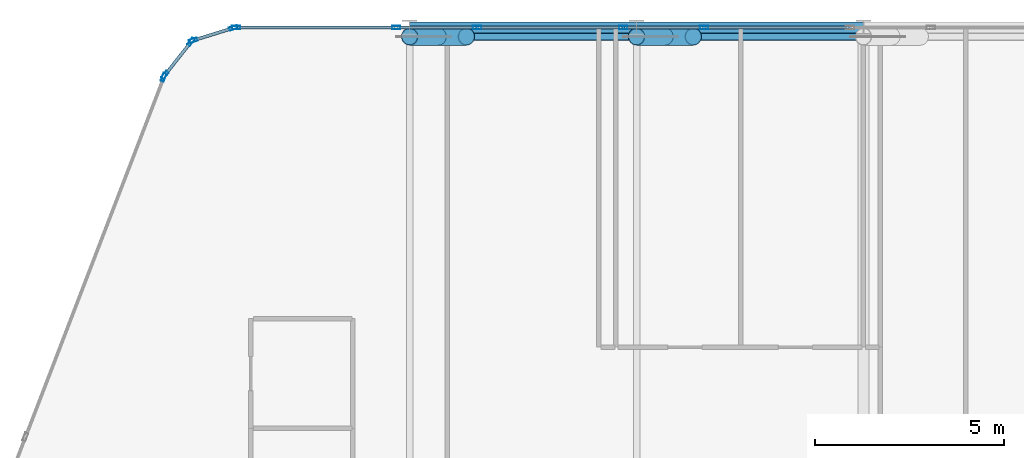
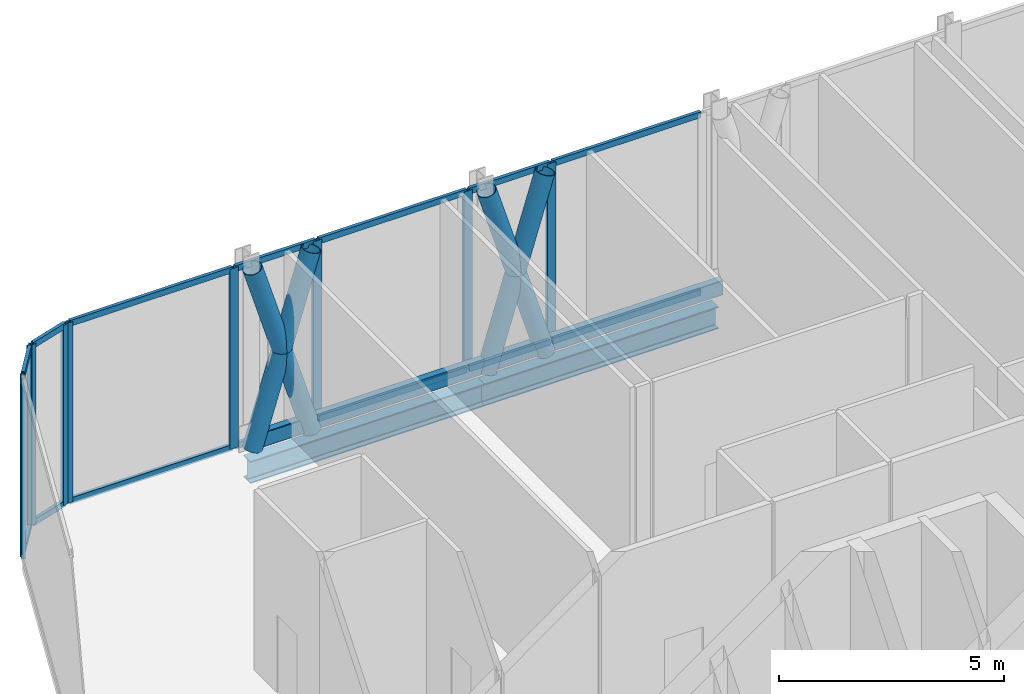
# One storey, part 14 of 36: 32 members, 2 beams, 8 elements without a shape of their own.
"""IFC4 building model written with IfcOpenShell, lengths in metres."""

from ifc_helpers import new_model, si_unit, direction, frame, origin, origin_2d, place, context, subcontext, project, spatial, hollow_rectangle, hollow_circle, i_section, extrude, material, layer, layer_set, material_profile, profile_set, type_object, element, aggregate, save


model = new_model("IFC4")

# Units and contexts
model_context = context("Model", 3, precision=1e-05, world=origin(), true_north=direction((0.0, 1.0)))
body_context = subcontext(model_context, "Body", "Model", "MODEL_VIEW")
ifc_project = project(units=[si_unit("LENGTHUNIT", "METRE"), si_unit("AREAUNIT", "SQUARE_METRE"), si_unit("VOLUMEUNIT", "CUBIC_METRE"), si_unit("PLANEANGLEUNIT", "RADIAN"), si_unit("MASSUNIT", "GRAM", prefix="KILO")], contexts=[model_context])

# Site, building, storey
site_placement = place(None, origin())
site = spatial("IfcSite", under=ifc_project, at=site_placement, CompositionType="ELEMENT")
building_placement = place(site_placement, origin())
building = spatial("IfcBuilding", under=site, at=building_placement, Name="Keshet Zoharim Tower", CompositionType="ELEMENT")
storey_placement = place(building_placement, frame((0.0, 0.0, 81.199951171875)))
storey = spatial("IfcBuildingStorey", under=building, at=storey_placement, Name="L19", CompositionType="ELEMENT", Elevation=81.199951171875)

# Beams
ifc_material_1 = material(Name="Steel S355", Category="steel")
ifc_material_profile_1 = material_profile(ifc_material_1, i_section(OverallWidth=0.300048828125, OverallDepth=0.60009765625, WebThickness=0.015380859375, FlangeThickness=0.030029296875, FilletRadius=0.027099609375, at=origin_2d()), Name="HEB600")
ifc_profile_set_1 = profile_set([ifc_material_profile_1], Name="Steel S355")
beam_type = type_object("IfcBeamType", Name="BM-WEB-HB600", PredefinedType="BEAM", material=ifc_profile_set_1)
for number, where, z_axis, x_axis, name in (
    (1, (21.0, 53.89990234375, -0.719970703125), (1.0, 0.0, 0.0), (0.0, 1.0, 0.0), "L19 Primary Girder X-029"),
    (2, (27.0, 53.89990234375, -0.719970703125), (1.0, 0.0, 0.0), (0.0, 1.0, 0.0), "L19 Primary Girder X-030"),
):
    element("IfcBeam", number, at=place(storey_placement, frame(where, z_axis=z_axis, x_axis=x_axis)), inside=storey, type_object=beam_type, Name=name, PredefinedType="BEAM", context=body_context, shape_type="SweptSolid", body=[
        extrude(i_section(OverallWidth=0.300048828125, OverallDepth=0.60009765625, WebThickness=0.015380859375, FlangeThickness=0.030029296875, FilletRadius=0.027099609375, at=origin_2d()), origin(), (0.0, 0.0, 1.0), 6.0),
    ])

# Curtain wall, member
ifc_material_2 = material(Name="Aluminium 6063-T6", Category="aluminium")
ifc_layer_1 = layer(ifc_material_2, 0.179931640625)
ifc_layer_set_1 = layer_set([ifc_layer_1], Name="Aluminium 6063-T6")
curtain_wall_type_1 = type_object("IfcCurtainWallType", Name="CW-SYS-01", PredefinedType="NOTDEFINED", material=ifc_layer_set_1)
curtain_wall_1_placement = place(storey_placement, origin())
curtain_wall_1 = element("IfcCurtainWall", 3, at=curtain_wall_1_placement, inside=storey, type_object=curtain_wall_type_1, Name="L19 Unitised Curtain Wall 04", PredefinedType="NOTDEFINED")
ifc_material_profile_2 = material_profile(ifc_material_2, hollow_rectangle(XDim=0.090087890625, YDim=0.219970703125, WallThickness=0.0048828125, at=origin_2d()), Name="MUL-90x220")
ifc_profile_set_2 = profile_set([ifc_material_profile_2], Name="Aluminium 6063-T6")
member_type_1 = type_object("IfcMemberType", Name="CWM-M22", PredefinedType="MULLION", material=ifc_profile_set_2)
member_1_placement = place(storey_placement, frame((14.494384765625, 52.58544921875, 0.0), z_axis=(0.0, 0.0, 1.0), x_axis=(-0.933341404361, 0.358990003907, 0.0)))
member_1 = element("IfcMember", 4, at=member_1_placement, type_object=member_type_1, Name="CW-01 mullion 4", PredefinedType="MULLION", context=body_context, shape_type="SweptSolid", body=[
    extrude(hollow_rectangle(XDim=0.090087890625, YDim=0.219970703125, WallThickness=0.0048828125, at=origin_2d()), origin(), (0.0, 0.0, 1.0), 4.885009765625),
])
aggregate(curtain_wall_1, [member_1])

# Curtain wall, members
curtain_wall_2_placement = place(storey_placement, origin())
curtain_wall_2 = element("IfcCurtainWall", 5, at=curtain_wall_2_placement, inside=storey, type_object=curtain_wall_type_1, Name="L19 Unitised Curtain Wall 05", PredefinedType="NOTDEFINED")
member_2_placement = place(storey_placement, frame((14.528564453125, 52.6455078125, 0.0), z_axis=(0.0, 0.0, 1.0), x_axis=(-0.785292825205, 0.619124525989, 0.0)))
member_2 = element("IfcMember", 6, at=member_2_placement, type_object=member_type_1, Name="CW-01 mullion 1", PredefinedType="MULLION", context=body_context, shape_type="SweptSolid", body=[
    extrude(hollow_rectangle(XDim=0.090087890625, YDim=0.219970703125, WallThickness=0.0048828125, at=origin_2d()), origin(), (0.0, 0.0, 1.0), 4.885009765625),
])
member_3_placement = place(storey_placement, frame((15.21923828125, 53.521484375, 0.0), z_axis=(0.0, 0.0, 1.0), x_axis=(-0.785292825205, 0.619124525989, 0.0)))
member_3 = element("IfcMember", 7, at=member_3_placement, type_object=member_type_1, Name="CW-01 mullion 2", PredefinedType="MULLION", context=body_context, shape_type="SweptSolid", body=[
    extrude(hollow_rectangle(XDim=0.090087890625, YDim=0.219970703125, WallThickness=0.0048828125, at=origin_2d()), origin(), (0.0, 0.0, 1.0), 4.885009765625),
])

curtain_wall_3_placement = place(storey_placement, origin())
curtain_wall_3 = element("IfcCurtainWall", 8, at=curtain_wall_3_placement, inside=storey, type_object=curtain_wall_type_1, Name="L19 Unitised Curtain Wall 06", PredefinedType="NOTDEFINED")
member_4_placement = place(storey_placement, frame((15.2744140625, 53.559326171875, 0.0), z_axis=(0.0, 0.0, 1.0), x_axis=(-0.295921857984, 0.955212151288, 0.0)))
member_4 = element("IfcMember", 9, at=member_4_placement, type_object=member_type_1, Name="CW-01 mullion 1", PredefinedType="MULLION", context=body_context, shape_type="SweptSolid", body=[
    extrude(hollow_rectangle(XDim=0.090087890625, YDim=0.219970703125, WallThickness=0.0048828125, at=origin_2d()), origin(), (0.0, 0.0, 1.0), 4.885009765625),
])
member_5_placement = place(storey_placement, frame((16.340576171875, 53.8896484375, 0.0), z_axis=(0.0, 0.0, 1.0), x_axis=(-0.295921857984, 0.955212151288, 0.0)))
member_5 = element("IfcMember", 10, at=member_5_placement, type_object=member_type_1, Name="CW-01 mullion 2", PredefinedType="MULLION", context=body_context, shape_type="SweptSolid", body=[
    extrude(hollow_rectangle(XDim=0.090087890625, YDim=0.219970703125, WallThickness=0.0048828125, at=origin_2d()), origin(), (0.0, 0.0, 1.0), 4.885009765625),
])

ifc_layer_2 = layer(ifc_material_2, 0.169921875)
ifc_layer_set_2 = layer_set([ifc_layer_2], Name="Aluminium 6063-T6")
curtain_wall_type_2 = type_object("IfcCurtainWallType", Name="CW-SYS-02", PredefinedType="NOTDEFINED", material=ifc_layer_set_2)
curtain_wall_4_placement = place(storey_placement, origin())
curtain_wall_4 = element("IfcCurtainWall", 11, at=curtain_wall_4_placement, inside=storey, type_object=curtain_wall_type_2, Name="L19 Unitised Curtain Wall 07", PredefinedType="NOTDEFINED")
member_6_placement = place(storey_placement, frame((16.408935546875, 53.89990234375, 0.0), z_axis=(0.0, 0.0, 1.0), x_axis=(0.0, 1.0, 0.0)))
member_6 = element("IfcMember", 12, at=member_6_placement, type_object=member_type_1, Name="CW-02 mullion 1", PredefinedType="MULLION", context=body_context, shape_type="SweptSolid", body=[
    extrude(hollow_rectangle(XDim=0.090087890625, YDim=0.219970703125, WallThickness=0.0048828125, at=origin_2d()), origin(), (0.0, 0.0, 1.0), 4.885009765625),
])
member_7_placement = place(storey_placement, frame((20.646484375, 53.89990234375, 0.0), z_axis=(0.0, 0.0, 1.0), x_axis=(0.0, 1.0, 0.0)))
member_7 = element("IfcMember", 13, at=member_7_placement, type_object=member_type_1, Name="CW-02 mullion 2", PredefinedType="MULLION", context=body_context, shape_type="SweptSolid", body=[
    extrude(hollow_rectangle(XDim=0.090087890625, YDim=0.219970703125, WallThickness=0.0048828125, at=origin_2d()), origin(), (0.0, 0.0, 1.0), 4.885009765625),
])

# Curtain wall, member
curtain_wall_5_placement = place(storey_placement, origin())
curtain_wall_5 = element("IfcCurtainWall", 14, at=curtain_wall_5_placement, inside=storey, type_object=curtain_wall_type_2, Name="L19 Unitised Curtain Wall 07 Part 2", PredefinedType="NOTDEFINED")
member_8_placement = place(storey_placement, frame((22.783447265625, 53.89990234375, 0.0), z_axis=(0.0, 0.0, 1.0), x_axis=(0.0, 1.0, 0.0)))
member_8 = element("IfcMember", 15, at=member_8_placement, type_object=member_type_1, Name="CW-02 mullion 2", PredefinedType="MULLION", context=body_context, shape_type="SweptSolid", body=[
    extrude(hollow_rectangle(XDim=0.090087890625, YDim=0.219970703125, WallThickness=0.0048828125, at=origin_2d()), origin(), (0.0, 0.0, 1.0), 4.885009765625),
])

curtain_wall_6_placement = place(storey_placement, origin())
curtain_wall_6 = element("IfcCurtainWall", 16, at=curtain_wall_6_placement, inside=storey, type_object=curtain_wall_type_2, Name="L19 Unitised Curtain Wall 07 Part 3", PredefinedType="NOTDEFINED")
member_9_placement = place(storey_placement, frame((26.646484375, 53.89990234375, 0.0), z_axis=(0.0, 0.0, 1.0), x_axis=(0.0, 1.0, 0.0)))
member_9 = element("IfcMember", 17, at=member_9_placement, type_object=member_type_1, Name="CW-02 mullion 2", PredefinedType="MULLION", context=body_context, shape_type="SweptSolid", body=[
    extrude(hollow_rectangle(XDim=0.090087890625, YDim=0.219970703125, WallThickness=0.0048828125, at=origin_2d()), origin(), (0.0, 0.0, 1.0), 4.885009765625),
])

curtain_wall_7_placement = place(storey_placement, origin())
curtain_wall_7 = element("IfcCurtainWall", 18, at=curtain_wall_7_placement, inside=storey, type_object=curtain_wall_type_2, Name="L19 Unitised Curtain Wall 07 Part 4", PredefinedType="NOTDEFINED")
member_10_placement = place(storey_placement, frame((28.783447265625, 53.89990234375, 0.0), z_axis=(0.0, 0.0, 1.0), x_axis=(0.0, 1.0, 0.0)))
member_10 = element("IfcMember", 19, at=member_10_placement, type_object=member_type_1, Name="CW-02 mullion 2", PredefinedType="MULLION", context=body_context, shape_type="SweptSolid", body=[
    extrude(hollow_rectangle(XDim=0.090087890625, YDim=0.219970703125, WallThickness=0.0048828125, at=origin_2d()), origin(), (0.0, 0.0, 1.0), 4.885009765625),
])

# Member
ifc_material_profile_3 = material_profile(ifc_material_2, hollow_rectangle(XDim=0.0849609375, YDim=0.159912109375, WallThickness=0.00439453125, at=origin_2d()), Name="TRN-85x160")
ifc_profile_set_3 = profile_set([ifc_material_profile_3], Name="Aluminium 6063-T6")
member_type_2 = type_object("IfcMemberType", Name="CWT-T16", PredefinedType="USERDEFINED", material=ifc_profile_set_3)
member_11_placement = place(storey_placement, frame((14.55029296875, 52.6728515625, 0.03515625), z_axis=(0.619099165969, 0.78531281837, 0.0), x_axis=(-0.78531281837, 0.619099165969, 0.0)))
member_11 = element("IfcMember", 20, at=member_11_placement, type_object=member_type_2, Name="CW-01 transom 1.1", ObjectType="TRANSOM", PredefinedType="USERDEFINED", context=body_context, shape_type="SweptSolid", body=[
    extrude(hollow_rectangle(XDim=0.0849609375, YDim=0.159912109375, WallThickness=0.00439453125, at=origin_2d()), origin(), (0.0, 0.0, 1.0), 1.0458984375),
])

member_12_placement = place(storey_placement, frame((14.55029296875, 52.6728515625, 4.85009765625), z_axis=(0.619099165969, 0.78531281837, 0.0), x_axis=(-0.78531281837, 0.619099165969, 0.0)))
member_12 = element("IfcMember", 21, at=member_12_placement, type_object=member_type_2, Name="CW-01 transom 1.2", ObjectType="TRANSOM", PredefinedType="USERDEFINED", context=body_context, shape_type="SweptSolid", body=[
    extrude(hollow_rectangle(XDim=0.0849609375, YDim=0.159912109375, WallThickness=0.00439453125, at=origin_2d()), origin(), (0.0, 0.0, 1.0), 1.0458984375),
])

aggregate(curtain_wall_2, [member_2, member_3, member_11, member_12])

member_13_placement = place(storey_placement, frame((15.307861328125, 53.56982421875, 0.03515625), z_axis=(0.955212093062, 0.295922045933, 0.0), x_axis=(-0.295922045933, 0.955212093062, 0.0)))
member_13 = element("IfcMember", 22, at=member_13_placement, type_object=member_type_2, Name="CW-01 transom 1.1", ObjectType="TRANSOM", PredefinedType="USERDEFINED", context=body_context, shape_type="SweptSolid", body=[
    extrude(hollow_rectangle(XDim=0.0849609375, YDim=0.159912109375, WallThickness=0.00439453125, at=origin_2d()), origin(), (0.0, 0.0, 1.0), 1.046142578125),
])

member_14_placement = place(storey_placement, frame((15.307861328125, 53.56982421875, 4.85009765625), z_axis=(0.955212093062, 0.295922045933, 0.0), x_axis=(-0.295922045933, 0.955212093062, 0.0)))
member_14 = element("IfcMember", 23, at=member_14_placement, type_object=member_type_2, Name="CW-01 transom 1.2", ObjectType="TRANSOM", PredefinedType="USERDEFINED", context=body_context, shape_type="SweptSolid", body=[
    extrude(hollow_rectangle(XDim=0.0849609375, YDim=0.159912109375, WallThickness=0.00439453125, at=origin_2d()), origin(), (0.0, 0.0, 1.0), 1.046142578125),
])

aggregate(curtain_wall_3, [member_4, member_5, member_13, member_14])

member_15_placement = place(storey_placement, frame((16.444091796875, 53.89990234375, 0.03515625), z_axis=(1.0, 0.0, 0.0), x_axis=(0.0, 1.0, 0.0)))
member_15 = element("IfcMember", 24, at=member_15_placement, type_object=member_type_2, Name="CW-02 transom 1.1", ObjectType="TRANSOM", PredefinedType="USERDEFINED", context=body_context, shape_type="SweptSolid", body=[
    extrude(hollow_rectangle(XDim=0.0849609375, YDim=0.159912109375, WallThickness=0.00439453125, at=origin_2d()), origin(), (0.0, 0.0, 1.0), 4.16748046875),
])

member_16_placement = place(storey_placement, frame((16.444091796875, 53.89990234375, 4.85009765625), z_axis=(1.0, 0.0, 0.0), x_axis=(0.0, 1.0, 0.0)))
member_16 = element("IfcMember", 25, at=member_16_placement, type_object=member_type_2, Name="CW-02 transom 1.2", ObjectType="TRANSOM", PredefinedType="USERDEFINED", context=body_context, shape_type="SweptSolid", body=[
    extrude(hollow_rectangle(XDim=0.0849609375, YDim=0.159912109375, WallThickness=0.00439453125, at=origin_2d()), origin(), (0.0, 0.0, 1.0), 4.16748046875),
])

aggregate(curtain_wall_4, [member_6, member_7, member_15, member_16])

member_17_placement = place(storey_placement, frame((20.681640625, 53.89990234375, 0.03515625), z_axis=(1.0, 0.0, 0.0), x_axis=(0.0, 1.0, 0.0)))
member_17 = element("IfcMember", 26, at=member_17_placement, type_object=member_type_2, Name="CW-02 transom 1.1", ObjectType="TRANSOM", PredefinedType="USERDEFINED", context=body_context, shape_type="SweptSolid", body=[
    extrude(hollow_rectangle(XDim=0.0849609375, YDim=0.159912109375, WallThickness=0.00439453125, at=origin_2d()), origin(), (0.0, 0.0, 1.0), 2.066650390625),
])

member_18_placement = place(storey_placement, frame((20.681640625, 53.89990234375, 4.85009765625), z_axis=(1.0, 0.0, 0.0), x_axis=(0.0, 1.0, 0.0)))
member_18 = element("IfcMember", 27, at=member_18_placement, type_object=member_type_2, Name="CW-02 transom 1.2", ObjectType="TRANSOM", PredefinedType="USERDEFINED", context=body_context, shape_type="SweptSolid", body=[
    extrude(hollow_rectangle(XDim=0.0849609375, YDim=0.159912109375, WallThickness=0.00439453125, at=origin_2d()), origin(), (0.0, 0.0, 1.0), 2.066650390625),
])

aggregate(curtain_wall_5, [member_8, member_17, member_18])

member_19_placement = place(storey_placement, frame((22.818359375, 53.89990234375, 0.03515625), z_axis=(1.0, 0.0, 0.0), x_axis=(0.0, 1.0, 0.0)))
member_19 = element("IfcMember", 28, at=member_19_placement, type_object=member_type_2, Name="CW-02 transom 1.1", ObjectType="TRANSOM", PredefinedType="USERDEFINED", context=body_context, shape_type="SweptSolid", body=[
    extrude(hollow_rectangle(XDim=0.0849609375, YDim=0.159912109375, WallThickness=0.00439453125, at=origin_2d()), origin(), (0.0, 0.0, 1.0), 3.793212890625),
])

member_20_placement = place(storey_placement, frame((22.818359375, 53.89990234375, 4.85009765625), z_axis=(1.0, 0.0, 0.0), x_axis=(0.0, 1.0, 0.0)))
member_20 = element("IfcMember", 29, at=member_20_placement, type_object=member_type_2, Name="CW-02 transom 1.2", ObjectType="TRANSOM", PredefinedType="USERDEFINED", context=body_context, shape_type="SweptSolid", body=[
    extrude(hollow_rectangle(XDim=0.0849609375, YDim=0.159912109375, WallThickness=0.00439453125, at=origin_2d()), origin(), (0.0, 0.0, 1.0), 3.793212890625),
])

aggregate(curtain_wall_6, [member_9, member_19, member_20])

member_21_placement = place(storey_placement, frame((26.681640625, 53.89990234375, 0.03515625), z_axis=(1.0, 0.0, 0.0), x_axis=(0.0, 1.0, 0.0)))
member_21 = element("IfcMember", 30, at=member_21_placement, type_object=member_type_2, Name="CW-02 transom 1.1", ObjectType="TRANSOM", PredefinedType="USERDEFINED", context=body_context, shape_type="SweptSolid", body=[
    extrude(hollow_rectangle(XDim=0.0849609375, YDim=0.159912109375, WallThickness=0.00439453125, at=origin_2d()), origin(), (0.0, 0.0, 1.0), 2.066650390625),
])

member_22_placement = place(storey_placement, frame((26.681640625, 53.89990234375, 4.85009765625), z_axis=(1.0, 0.0, 0.0), x_axis=(0.0, 1.0, 0.0)))
member_22 = element("IfcMember", 31, at=member_22_placement, type_object=member_type_2, Name="CW-02 transom 1.2", ObjectType="TRANSOM", PredefinedType="USERDEFINED", context=body_context, shape_type="SweptSolid", body=[
    extrude(hollow_rectangle(XDim=0.0849609375, YDim=0.159912109375, WallThickness=0.00439453125, at=origin_2d()), origin(), (0.0, 0.0, 1.0), 2.066650390625),
])

aggregate(curtain_wall_7, [member_10, member_21, member_22])

# Curtain wall, members
curtain_wall_8_placement = place(storey_placement, origin())
curtain_wall_8 = element("IfcCurtainWall", 32, at=curtain_wall_8_placement, inside=storey, type_object=curtain_wall_type_2, Name="L19 Unitised Curtain Wall 07 Part 5", PredefinedType="NOTDEFINED")
member_23_placement = place(storey_placement, frame((28.818359375, 53.89990234375, 0.03515625), z_axis=(1.0, 0.0, 0.0), x_axis=(0.0, 1.0, 0.0)))
member_23 = element("IfcMember", 33, at=member_23_placement, type_object=member_type_2, Name="CW-02 transom 1.1", ObjectType="TRANSOM", PredefinedType="USERDEFINED", context=body_context, shape_type="SweptSolid", body=[
    extrude(hollow_rectangle(XDim=0.0849609375, YDim=0.159912109375, WallThickness=0.00439453125, at=origin_2d()), origin(), (0.0, 0.0, 1.0), 3.793212890625),
])
member_24_placement = place(storey_placement, frame((28.818359375, 53.89990234375, 4.85009765625), z_axis=(1.0, 0.0, 0.0), x_axis=(0.0, 1.0, 0.0)))
member_24 = element("IfcMember", 34, at=member_24_placement, type_object=member_type_2, Name="CW-02 transom 1.2", ObjectType="TRANSOM", PredefinedType="USERDEFINED", context=body_context, shape_type="SweptSolid", body=[
    extrude(hollow_rectangle(XDim=0.0849609375, YDim=0.159912109375, WallThickness=0.00439453125, at=origin_2d()), origin(), (0.0, 0.0, 1.0), 3.793212890625),
])
aggregate(curtain_wall_8, [member_23, member_24])

# Members
ifc_material_profile_4 = material_profile(ifc_material_1, hollow_circle(Radius=0.228515625, WallThickness=0.01611328125, at=origin_2d()), Name="CHS457x16")
ifc_profile_set_4 = profile_set([ifc_material_profile_4], Name="Steel S355")
member_type_3 = type_object("IfcMemberType", Name="MB-BELT-C457", PredefinedType="BRACE", material=ifc_profile_set_4)
member_25_placement = place(storey_placement, frame((21.0, 53.659912109375, 0.0), z_axis=(0.293535214916, 0.0, 0.955948260945), x_axis=(0.0, 1.0, 0.0)))
element("IfcMember", 35, at=member_25_placement, inside=storey, type_object=member_type_3, Name="L19 Perimeter Belt Truss Continuous Diagonal A03", PredefinedType="BRACE", context=body_context, shape_type="SweptSolid", body=[
    extrude(hollow_circle(Radius=0.228515625, WallThickness=0.01611328125, at=origin_2d()), origin(), (0.0, 0.0, 1.0), 5.110107421875),
])
member_26_placement = place(storey_placement, frame((22.5, 53.659912109375, 0.0), z_axis=(-0.293521809364, 0.0, 0.955952377176), x_axis=(0.0, -1.0, 0.0)))
element("IfcMember", 36, at=member_26_placement, inside=storey, type_object=member_type_3, Name="L19 Perimeter Belt Truss Split Diagonal B1-03", PredefinedType="BRACE", context=body_context, shape_type="SweptSolid", body=[
    extrude(hollow_circle(Radius=0.228515625, WallThickness=0.01611328125, at=origin_2d()), origin(), (0.0, 0.0, 1.0), 2.55517578125),
])
member_27_placement = place(storey_placement, frame((21.75, 53.659912109375, 2.442626953125), z_axis=(-0.293548621635, 0.0, 0.955944144151), x_axis=(0.0, -1.0, 0.0)))
element("IfcMember", 37, at=member_27_placement, inside=storey, type_object=member_type_3, Name="L19 Perimeter Belt Truss Split Diagonal B2-03", PredefinedType="BRACE", context=body_context, shape_type="SweptSolid", body=[
    extrude(hollow_circle(Radius=0.228515625, WallThickness=0.01611328125, at=origin_2d()), origin(), (0.0, 0.0, 1.0), 2.554931640625),
])
member_28_placement = place(storey_placement, frame((27.0, 53.659912109375, 0.0), z_axis=(0.293535214916, 0.0, 0.955948260945), x_axis=(0.0, 1.0, 0.0)))
element("IfcMember", 38, at=member_28_placement, inside=storey, type_object=member_type_3, Name="L19 Perimeter Belt Truss Continuous Diagonal A04", PredefinedType="BRACE", context=body_context, shape_type="SweptSolid", body=[
    extrude(hollow_circle(Radius=0.228515625, WallThickness=0.01611328125, at=origin_2d()), origin(), (0.0, 0.0, 1.0), 5.110107421875),
])
member_29_placement = place(storey_placement, frame((28.5, 53.659912109375, 0.0), z_axis=(-0.293521809364, 0.0, 0.955952377176), x_axis=(0.0, -1.0, 0.0)))
element("IfcMember", 39, at=member_29_placement, inside=storey, type_object=member_type_3, Name="L19 Perimeter Belt Truss Split Diagonal B1-04", PredefinedType="BRACE", context=body_context, shape_type="SweptSolid", body=[
    extrude(hollow_circle(Radius=0.228515625, WallThickness=0.01611328125, at=origin_2d()), origin(), (0.0, 0.0, 1.0), 2.55517578125),
])
member_30_placement = place(storey_placement, frame((27.75, 53.659912109375, 2.442626953125), z_axis=(-0.293548621635, 0.0, 0.955944144151), x_axis=(0.0, -1.0, 0.0)))
element("IfcMember", 40, at=member_30_placement, inside=storey, type_object=member_type_3, Name="L19 Perimeter Belt Truss Split Diagonal B2-04", PredefinedType="BRACE", context=body_context, shape_type="SweptSolid", body=[
    extrude(hollow_circle(Radius=0.228515625, WallThickness=0.01611328125, at=origin_2d()), origin(), (0.0, 0.0, 1.0), 2.554931640625),
])
ifc_material_profile_5 = material_profile(ifc_material_1, hollow_rectangle(XDim=0.199951171875, YDim=0.39990234375, WallThickness=0.01611328125, InnerFilletRadius=0.01611328125, OuterFilletRadius=0.02392578125, at=origin_2d()), Name="RHS400x200x16")
ifc_profile_set_5 = profile_set([ifc_material_profile_5], Name="Steel S355")
member_type_4 = type_object("IfcMemberType", Name="MB-CHD-R400", PredefinedType="CHORD", material=ifc_profile_set_5)
for number, where, z_axis, x_axis, name in (
    (41, (21.0, 53.659912109375, 0.199951171875), (1.0, 0.0, 0.0), (0.0, 1.0, 0.0), "L19 Perimeter Belt Truss Chord B03"),
    (42, (27.0, 53.659912109375, 0.199951171875), (1.0, 0.0, 0.0), (0.0, 1.0, 0.0), "L19 Perimeter Belt Truss Chord B04"),
):
    element("IfcMember", number, at=place(storey_placement, frame(where, z_axis=z_axis, x_axis=x_axis)), inside=storey, type_object=member_type_4, Name=name, PredefinedType="CHORD", context=body_context, shape_type="SweptSolid", body=[
        extrude(hollow_rectangle(XDim=0.199951171875, YDim=0.39990234375, WallThickness=0.01611328125, InnerFilletRadius=0.01611328125, OuterFilletRadius=0.02392578125, at=origin_2d()), origin(), (0.0, 0.0, 1.0), 6.0),
    ])

save(model, "model.ifc")
